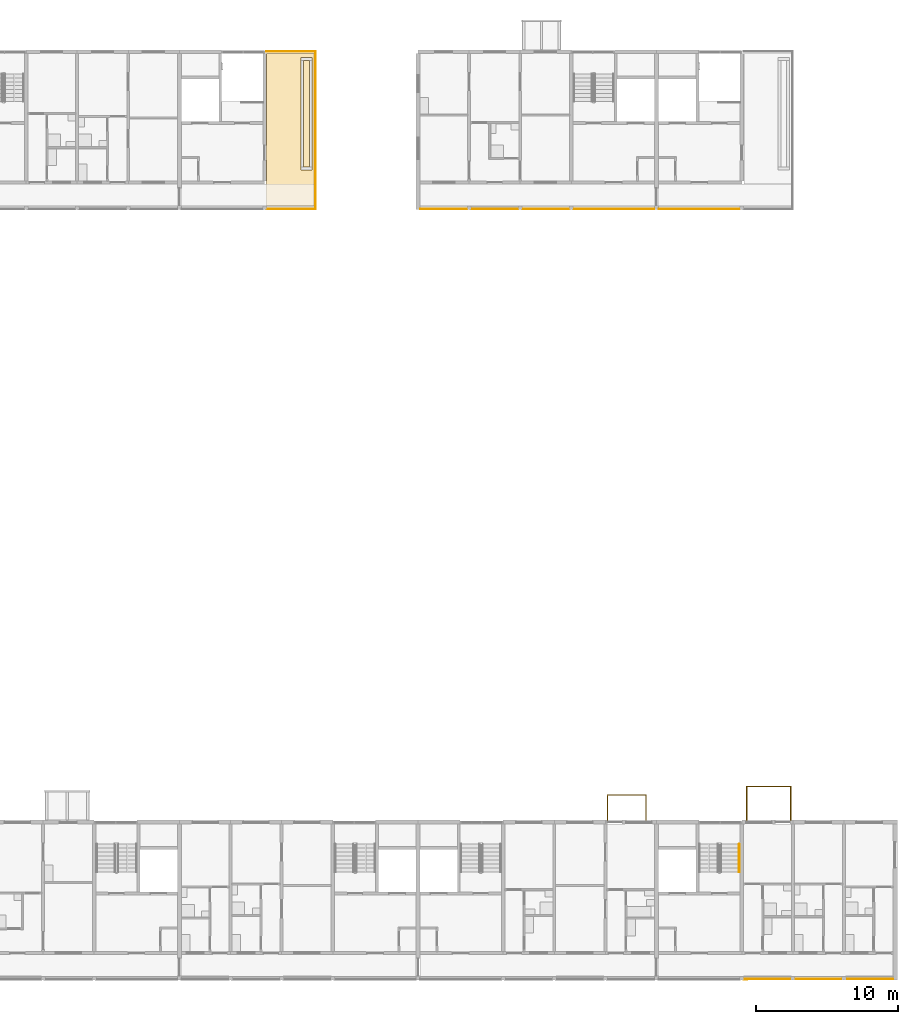
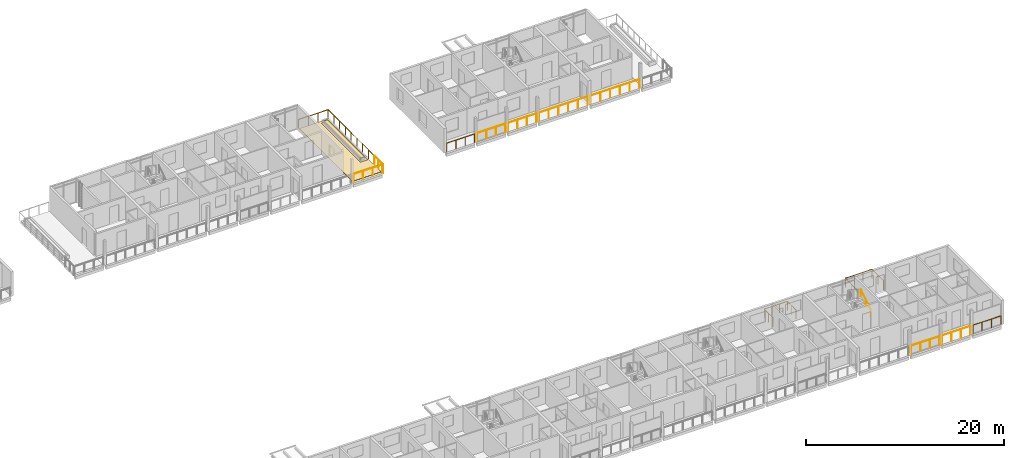
# One storey, part 84 of 87: 14 railings, 3 coverings.
"""IFC4 building model written with IfcOpenShell, lengths in metres."""

from ifc_helpers import new_model, si_unit, direction, frame, origin, origin_2d, place, context, subcontext, project, spatial, polyline, circle, outline, extrude, material, layer, layer_set, type_object, element, save


model = new_model("IFC4")

# Units and contexts
model_context = context("Model", 3, precision=1e-05, world=origin(), true_north=direction((0.0, 1.0)))
body_context = subcontext(model_context, "Body", "Model", "MODEL_VIEW")
ifc_project = project(units=[si_unit("LENGTHUNIT", "METRE"), si_unit("AREAUNIT", "SQUARE_METRE"), si_unit("VOLUMEUNIT", "CUBIC_METRE"), si_unit("PLANEANGLEUNIT", "RADIAN"), si_unit("MASSUNIT", "GRAM", prefix="KILO")], contexts=[model_context])

# Site, building, storey
site_placement = place(None, origin())
site = spatial("IfcSite", under=ifc_project, at=site_placement, CompositionType="ELEMENT")
building_placement = place(site_placement, origin())
building = spatial("IfcBuilding", under=site, at=building_placement, Name="Ridgestep Commons", CompositionType="ELEMENT")
storey_placement = place(building_placement, frame((0.0, 0.0, 27.0)))
storey = spatial("IfcBuildingStorey", under=building, at=storey_placement, Name="L09", CompositionType="ELEMENT", Elevation=27.0)

# Railings
ifc_material_1 = material(Name="Structural steel S355JR", Category="steel")
railing_type_1 = type_object("IfcRailingType", Name="Guard 1100", PredefinedType="GUARDRAIL", material=ifc_material_1)
railing_1_placement = place(storey_placement, frame((206.779052734375, 67.821044921875, 0.0)))
element("IfcRailing", 1, at=railing_1_placement, inside=storey, type_object=railing_type_1, Name="Guard TD-C4R3-GD", PredefinedType="GUARDRAIL", context=body_context, shape_type="SweptSolid", body=[
    extrude(circle(Radius=0.02392578125, at=origin_2d()), frame((0.0, 0.0, 1.076171875), z_axis=(0.0, 1.0, 0.0), x_axis=(-1.0, 0.0, 0.0)), (0.0, 0.0, 1.0), 9.303955078125),
    extrude(circle(Radius=0.02392578125, at=origin_2d()), frame((0.0, 9.303955078125, 1.076171875), z_axis=(-1.0, 0.0, 0.0), x_axis=(0.0, -1.0, 0.0)), (0.0, 0.0, 1.0), 3.43310546875),
    extrude(circle(Radius=0.02099609375, at=origin_2d()), origin(), (0.0, 0.0, 1.0), 1.052001953125),
    extrude(circle(Radius=0.02099609375, at=origin_2d()), frame((0.0, 1.1630859375, 0.0)), (0.0, 0.0, 1.0), 1.052001953125),
    extrude(circle(Radius=0.02099609375, at=origin_2d()), frame((0.0, 2.325927734375, 0.0)), (0.0, 0.0, 1.0), 1.052001953125),
    extrude(circle(Radius=0.02099609375, at=origin_2d()), frame((0.0, 3.489013671875, 0.0)), (0.0, 0.0, 1.0), 1.052001953125),
    extrude(circle(Radius=0.02099609375, at=origin_2d()), frame((0.0, 4.65185546875, 0.0)), (0.0, 0.0, 1.0), 1.052001953125),
    extrude(circle(Radius=0.02099609375, at=origin_2d()), frame((0.0, 5.81494140625, 0.0)), (0.0, 0.0, 1.0), 1.052001953125),
    extrude(circle(Radius=0.02099609375, at=origin_2d()), frame((0.0, 6.97802734375, 0.0)), (0.0, 0.0, 1.0), 1.052001953125),
    extrude(circle(Radius=0.02099609375, at=origin_2d()), frame((0.0, 8.140869140625, 0.0)), (0.0, 0.0, 1.0), 1.052001953125),
    extrude(circle(Radius=0.02099609375, at=origin_2d()), frame((0.0, 9.303955078125, 0.0)), (0.0, 0.0, 1.0), 1.052001953125),
    extrude(circle(Radius=0.02099609375, at=origin_2d()), frame((-1.144287109375, 9.303955078125, 0.0)), (0.0, 0.0, 1.0), 1.052001953125),
    extrude(circle(Radius=0.02099609375, at=origin_2d()), frame((-2.288818359375, 9.303955078125, 0.0)), (0.0, 0.0, 1.0), 1.052001953125),
    extrude(circle(Radius=0.02099609375, at=origin_2d()), frame((-3.43310546875, 9.303955078125, 0.0)), (0.0, 0.0, 1.0), 1.052001953125),
])
railing_2_placement = place(storey_placement, frame((236.946044921875, 11.800048828125, 0.0)))
element("IfcRailing", 2, at=railing_2_placement, inside=storey, type_object=railing_type_1, Name="Gallery guard D 09.22", PredefinedType="GUARDRAIL", context=body_context, shape_type="SweptSolid", body=[
    extrude(circle(Radius=0.02392578125, at=origin_2d()), frame((0.0, 0.0, 1.076171875), z_axis=(1.0, 0.0, 0.0), x_axis=(0.0, 1.0, 0.0)), (0.0, 0.0, 1.0), 3.307861328125),
    extrude(circle(Radius=0.02099609375, at=origin_2d()), origin(), (0.0, 0.0, 1.0), 1.052001953125),
    extrude(circle(Radius=0.02099609375, at=origin_2d()), frame((1.1025390625, 0.0, 0.0)), (0.0, 0.0, 1.0), 1.052001953125),
    extrude(circle(Radius=0.02099609375, at=origin_2d()), frame((2.205322265625, 0.0, 0.0)), (0.0, 0.0, 1.0), 1.052001953125),
    extrude(circle(Radius=0.02099609375, at=origin_2d()), frame((3.307861328125, 0.0, 0.0)), (0.0, 0.0, 1.0), 1.052001953125),
])
railing_3_placement = place(storey_placement, frame((240.5458984375, 11.800048828125, 0.0)))
element("IfcRailing", 3, at=railing_3_placement, inside=storey, type_object=railing_type_1, Name="Gallery guard D 09.23", PredefinedType="GUARDRAIL", context=body_context, shape_type="SweptSolid", body=[
    extrude(circle(Radius=0.02392578125, at=origin_2d()), frame((0.0, 0.0, 1.076171875), z_axis=(1.0, 0.0, 0.0), x_axis=(0.0, 1.0, 0.0)), (0.0, 0.0, 1.0), 3.30810546875),
    extrude(circle(Radius=0.02099609375, at=origin_2d()), origin(), (0.0, 0.0, 1.0), 1.052001953125),
    extrude(circle(Radius=0.02099609375, at=origin_2d()), frame((1.102783203125, 0.0, 0.0)), (0.0, 0.0, 1.0), 1.052001953125),
    extrude(circle(Radius=0.02099609375, at=origin_2d()), frame((2.205322265625, 0.0, 0.0)), (0.0, 0.0, 1.0), 1.052001953125),
    extrude(circle(Radius=0.02099609375, at=origin_2d()), frame((3.30810546875, 0.0, 0.0)), (0.0, 0.0, 1.0), 1.052001953125),
])
railing_4_placement = place(storey_placement, frame((244.14599609375, 11.800048828125, 0.0)))
element("IfcRailing", 4, at=railing_4_placement, inside=storey, type_object=railing_type_1, Name="Gallery guard D 09.24", PredefinedType="GUARDRAIL", context=body_context, shape_type="SweptSolid", body=[
    extrude(circle(Radius=0.02392578125, at=origin_2d()), frame((0.0, 0.0, 1.076171875), z_axis=(1.0, 0.0, 0.0), x_axis=(0.0, 1.0, 0.0)), (0.0, 0.0, 1.0), 3.282958984375),
    extrude(circle(Radius=0.02099609375, at=origin_2d()), origin(), (0.0, 0.0, 1.0), 1.052001953125),
    extrude(circle(Radius=0.02099609375, at=origin_2d()), frame((1.09423828125, 0.0, 0.0)), (0.0, 0.0, 1.0), 1.052001953125),
    extrude(circle(Radius=0.02099609375, at=origin_2d()), frame((2.188720703125, 0.0, 0.0)), (0.0, 0.0, 1.0), 1.052001953125),
    extrude(circle(Radius=0.02099609375, at=origin_2d()), frame((3.282958984375, 0.0, 0.0)), (0.0, 0.0, 1.0), 1.052001953125),
])
railing_5_placement = place(storey_placement, frame((203.345947265625, 66.050048828125, 0.0)))
element("IfcRailing", 5, at=railing_5_placement, inside=storey, type_object=railing_type_1, Name="Gallery guard C 09.8", PredefinedType="GUARDRAIL", context=body_context, shape_type="SweptSolid", body=[
    extrude(circle(Radius=0.02392578125, at=origin_2d()), frame((0.0, 0.0, 1.076171875), z_axis=(1.0, 0.0, 0.0), x_axis=(0.0, 1.0, 0.0)), (0.0, 0.0, 1.0), 3.3701171875),
    extrude(circle(Radius=0.02099609375, at=origin_2d()), origin(), (0.0, 0.0, 1.0), 1.052001953125),
    extrude(circle(Radius=0.02099609375, at=origin_2d()), frame((1.123291015625, 0.0, 0.0)), (0.0, 0.0, 1.0), 1.052001953125),
    extrude(circle(Radius=0.02099609375, at=origin_2d()), frame((2.246826171875, 0.0, 0.0)), (0.0, 0.0, 1.0), 1.052001953125),
    extrude(circle(Radius=0.02099609375, at=origin_2d()), frame((3.3701171875, 0.0, 0.0)), (0.0, 0.0, 1.0), 1.052001953125),
])
railing_6_placement = place(storey_placement, frame((206.779052734375, 66.050048828125, 0.0)))
element("IfcRailing", 6, at=railing_6_placement, inside=storey, type_object=railing_type_1, Name="Gallery end guard C 09.8E", PredefinedType="GUARDRAIL", context=body_context, shape_type="SweptSolid", body=[
    extrude(circle(Radius=0.02392578125, at=origin_2d()), frame((0.0, 0.0, 1.076171875), z_axis=(0.0, 1.0, 0.0), x_axis=(-1.0, 0.0, 0.0)), (0.0, 0.0, 1.0), 1.72900390625),
    extrude(circle(Radius=0.02099609375, at=origin_2d()), origin(), (0.0, 0.0, 1.0), 1.052001953125),
    extrude(circle(Radius=0.02099609375, at=origin_2d()), frame((0.0, 0.864501953125, 0.0)), (0.0, 0.0, 1.0), 1.052001953125),
    extrude(circle(Radius=0.02099609375, at=origin_2d()), frame((0.0, 1.72900390625, 0.0)), (0.0, 0.0, 1.0), 1.052001953125),
])
railing_7_placement = place(storey_placement, frame((214.1708984375, 66.050048828125, 0.0)))
element("IfcRailing", 7, at=railing_7_placement, inside=storey, type_object=railing_type_1, Name="Gallery guard C 09.1", PredefinedType="GUARDRAIL", context=body_context, shape_type="SweptSolid", body=[
    extrude(circle(Radius=0.02392578125, at=origin_2d()), frame((0.0, 0.0, 1.076171875), z_axis=(1.0, 0.0, 0.0), x_axis=(0.0, 1.0, 0.0)), (0.0, 0.0, 1.0), 3.283203125),
    extrude(circle(Radius=0.02099609375, at=origin_2d()), origin(), (0.0, 0.0, 1.0), 1.052001953125),
    extrude(circle(Radius=0.02099609375, at=origin_2d()), frame((1.094482421875, 0.0, 0.0)), (0.0, 0.0, 1.0), 1.052001953125),
    extrude(circle(Radius=0.02099609375, at=origin_2d()), frame((2.188720703125, 0.0, 0.0)), (0.0, 0.0, 1.0), 1.052001953125),
    extrude(circle(Radius=0.02099609375, at=origin_2d()), frame((3.283203125, 0.0, 0.0)), (0.0, 0.0, 1.0), 1.052001953125),
])
railing_8_placement = place(storey_placement, frame((217.74609375, 66.050048828125, 0.0)))
element("IfcRailing", 8, at=railing_8_placement, inside=storey, type_object=railing_type_1, Name="Gallery guard C 09.2", PredefinedType="GUARDRAIL", context=body_context, shape_type="SweptSolid", body=[
    extrude(circle(Radius=0.02392578125, at=origin_2d()), frame((0.0, 0.0, 1.076171875), z_axis=(1.0, 0.0, 0.0), x_axis=(0.0, 1.0, 0.0)), (0.0, 0.0, 1.0), 3.307861328125),
    extrude(circle(Radius=0.02099609375, at=origin_2d()), origin(), (0.0, 0.0, 1.0), 1.052001953125),
    extrude(circle(Radius=0.02099609375, at=origin_2d()), frame((1.1025390625, 0.0, 0.0)), (0.0, 0.0, 1.0), 1.052001953125),
    extrude(circle(Radius=0.02099609375, at=origin_2d()), frame((2.205322265625, 0.0, 0.0)), (0.0, 0.0, 1.0), 1.052001953125),
    extrude(circle(Radius=0.02099609375, at=origin_2d()), frame((3.307861328125, 0.0, 0.0)), (0.0, 0.0, 1.0), 1.052001953125),
])
railing_9_placement = place(storey_placement, frame((221.345947265625, 66.050048828125, 0.0)))
element("IfcRailing", 9, at=railing_9_placement, inside=storey, type_object=railing_type_1, Name="Gallery guard C 09.3", PredefinedType="GUARDRAIL", context=body_context, shape_type="SweptSolid", body=[
    extrude(circle(Radius=0.02392578125, at=origin_2d()), frame((0.0, 0.0, 1.076171875), z_axis=(1.0, 0.0, 0.0), x_axis=(0.0, 1.0, 0.0)), (0.0, 0.0, 1.0), 3.30810546875),
    extrude(circle(Radius=0.02099609375, at=origin_2d()), origin(), (0.0, 0.0, 1.0), 1.052001953125),
    extrude(circle(Radius=0.02099609375, at=origin_2d()), frame((1.102783203125, 0.0, 0.0)), (0.0, 0.0, 1.0), 1.052001953125),
    extrude(circle(Radius=0.02099609375, at=origin_2d()), frame((2.205322265625, 0.0, 0.0)), (0.0, 0.0, 1.0), 1.052001953125),
    extrude(circle(Radius=0.02099609375, at=origin_2d()), frame((3.30810546875, 0.0, 0.0)), (0.0, 0.0, 1.0), 1.052001953125),
])
railing_10_placement = place(storey_placement, frame((224.946044921875, 66.050048828125, 0.0)))
element("IfcRailing", 10, at=railing_10_placement, inside=storey, type_object=railing_type_1, Name="Gallery guard C 09.4", PredefinedType="GUARDRAIL", context=body_context, shape_type="SweptSolid", body=[
    extrude(circle(Radius=0.02392578125, at=origin_2d()), frame((0.0, 0.0, 1.076171875), z_axis=(1.0, 0.0, 0.0), x_axis=(0.0, 1.0, 0.0)), (0.0, 0.0, 1.0), 5.682861328125),
    extrude(circle(Radius=0.02099609375, at=origin_2d()), origin(), (0.0, 0.0, 1.0), 1.052001953125),
    extrude(circle(Radius=0.02099609375, at=origin_2d()), frame((1.136474609375, 0.0, 0.0)), (0.0, 0.0, 1.0), 1.052001953125),
    extrude(circle(Radius=0.02099609375, at=origin_2d()), frame((2.273193359375, 0.0, 0.0)), (0.0, 0.0, 1.0), 1.052001953125),
    extrude(circle(Radius=0.02099609375, at=origin_2d()), frame((3.40966796875, 0.0, 0.0)), (0.0, 0.0, 1.0), 1.052001953125),
    extrude(circle(Radius=0.02099609375, at=origin_2d()), frame((4.54638671875, 0.0, 0.0)), (0.0, 0.0, 1.0), 1.052001953125),
    extrude(circle(Radius=0.02099609375, at=origin_2d()), frame((5.682861328125, 0.0, 0.0)), (0.0, 0.0, 1.0), 1.052001953125),
])
railing_11_placement = place(storey_placement, frame((230.970947265625, 66.050048828125, 0.0)))
element("IfcRailing", 11, at=railing_11_placement, inside=storey, type_object=railing_type_1, Name="Gallery guard C 09.5", PredefinedType="GUARDRAIL", context=body_context, shape_type="SweptSolid", body=[
    extrude(circle(Radius=0.02392578125, at=origin_2d()), frame((0.0, 0.0, 1.076171875), z_axis=(1.0, 0.0, 0.0), x_axis=(0.0, 1.0, 0.0)), (0.0, 0.0, 1.0), 5.68310546875),
    extrude(circle(Radius=0.02099609375, at=origin_2d()), origin(), (0.0, 0.0, 1.0), 1.052001953125),
    extrude(circle(Radius=0.02099609375, at=origin_2d()), frame((1.13671875, 0.0, 0.0)), (0.0, 0.0, 1.0), 1.052001953125),
    extrude(circle(Radius=0.02099609375, at=origin_2d()), frame((2.273193359375, 0.0, 0.0)), (0.0, 0.0, 1.0), 1.052001953125),
    extrude(circle(Radius=0.02099609375, at=origin_2d()), frame((3.409912109375, 0.0, 0.0)), (0.0, 0.0, 1.0), 1.052001953125),
    extrude(circle(Radius=0.02099609375, at=origin_2d()), frame((4.54638671875, 0.0, 0.0)), (0.0, 0.0, 1.0), 1.052001953125),
    extrude(circle(Radius=0.02099609375, at=origin_2d()), frame((5.68310546875, 0.0, 0.0)), (0.0, 0.0, 1.0), 1.052001953125),
])

# Covering
ifc_material_2 = material(Name="Planting soil")
ifc_layer_1 = layer(ifc_material_2, 0.35009765625)
ifc_layer_set_1 = layer_set([ifc_layer_1], Name="Planting soil 350")
covering_type_1 = type_object("IfcCoveringType", Name="Planting soil 350", PredefinedType="FLOORING", material=ifc_layer_set_1)
covering_1_placement = place(storey_placement, frame((0.0, 0.0, 0.010009765625)))
element("IfcCovering", 12, at=covering_1_placement, inside=storey, type_object=covering_type_1, Name="Planting soil C4R3", PredefinedType="FLOORING", context=body_context, shape_type="SweptSolid", body=[
    extrude(outline(polyline([(205.949951171875, 69.0), (206.35009765625, 69.0), (206.35009765625, 76.5), (205.949951171875, 76.5), (205.949951171875, 69.0)])), origin(), (0.0, 0.0, 1.0), 0.35009765625),
])

# Railing
ifc_material_3 = material(Name="Structural steel S355JR", Category="steel")
railing_type_2 = type_object("IfcRailingType", Name="Stair handrail 900", PredefinedType="HANDRAIL", material=ifc_material_3)
railing_12_placement = place(storey_placement, frame((236.625, 19.35009765625, 0.1875)))
element("IfcRailing", 13, at=railing_12_placement, inside=storey, type_object=railing_type_2, Name="L09 D6C stair handrail 1", PredefinedType="HANDRAIL", context=body_context, shape_type="SweptSolid", body=[
    extrude(circle(Radius=0.02392578125, at=origin_2d()), frame((0.0, 0.0, 0.8759765625), z_axis=(0.0, 0.830902050051, 0.556418712142), x_axis=(-1.0, 0.0, 0.0)), (0.0, 0.0, 1.0), 2.35888671875),
    extrude(circle(Radius=0.02099609375, at=origin_2d()), origin(), (0.0, 0.0, 1.0), 0.851806640625),
    extrude(circle(Radius=0.02099609375, at=origin_2d()), frame((0.0, 0.97998046875, 0.65625)), (0.0, 0.0, 1.0), 0.851806640625),
    extrude(circle(Radius=0.02099609375, at=origin_2d()), frame((0.0, 1.9599609375, 1.3125)), (0.0, 0.0, 1.0), 0.851806640625),
])

# Coverings
ifc_material_4 = material(Name="Bitumen membrane, two layer")
ifc_layer_2 = layer(ifc_material_4, 0.010009765625)
ifc_layer_set_2 = layer_set([ifc_layer_2], Name="Terrace membrane 10")
covering_type_2 = type_object("IfcCoveringType", Name="Terrace membrane 10", PredefinedType="ROOFING", material=ifc_layer_set_2)
covering_2_placement = place(storey_placement, origin())
element("IfcCovering", 14, at=covering_2_placement, inside=storey, type_object=covering_type_2, Name="Terrace membrane C4R3", PredefinedType="ROOFING", context=body_context, shape_type="SweptSolid", body=[
    extrude(outline(polyline([(206.675048828125, 66.25), (206.675048828125, 77.0), (203.35009765625, 77.0), (203.35009765625, 66.25), (206.675048828125, 66.25)]), holes=[polyline([(206.550048828125, 68.800048828125), (206.550048828125, 76.699951171875), (205.75, 76.699951171875), (205.75, 68.800048828125), (206.550048828125, 68.800048828125)])]), origin(), (0.0, 0.0, 1.0), 0.010009765625),
])
ifc_material_5 = material(Name="Concrete paving slab", Category="concrete")
ifc_layer_3 = layer(ifc_material_5, 0.030029296875)
ifc_layer_set_3 = layer_set([ifc_layer_3], Name="Terrace paving 30")
covering_type_3 = type_object("IfcCoveringType", Name="Terrace paving 30", PredefinedType="FLOORING", material=ifc_layer_set_3)
covering_3_placement = place(storey_placement, frame((0.0, 0.0, 0.010009765625)))
element("IfcCovering", 15, at=covering_3_placement, inside=storey, type_object=covering_type_3, Name="Terrace paving C4R3", PredefinedType="FLOORING", context=body_context, shape_type="SweptSolid", body=[
    extrude(outline(polyline([(206.675048828125, 66.25), (206.675048828125, 77.0), (203.35009765625, 77.0), (203.35009765625, 66.25), (206.675048828125, 66.25)]), holes=[polyline([(206.550048828125, 68.800048828125), (206.550048828125, 76.699951171875), (205.75, 76.699951171875), (205.75, 68.800048828125), (206.550048828125, 68.800048828125)])]), origin(), (0.0, 0.0, 1.0), 0.030029296875),
])

# Railings
ifc_material_6 = material(Name="Weathering steel S355J2W", Category="steel")
railing_type_3 = type_object("IfcRailingType", Name="Tray guard 1100", PredefinedType="GUARDRAIL", material=ifc_material_6)
railing_13_placement = place(storey_placement, frame((227.35107421875, 23.02099609375, 0.0)))
element("IfcRailing", 16, at=railing_13_placement, inside=storey, type_object=railing_type_3, Name="Tray guard D5T1-09", PredefinedType="GUARDRAIL", context=body_context, shape_type="SweptSolid", body=[
    extrude(circle(Radius=0.02392578125, at=origin_2d()), frame((0.0, 0.0, 1.076171875), z_axis=(0.0, 1.0, 0.0), x_axis=(-1.0, 0.0, 0.0)), (0.0, 0.0, 1.0), 1.758056640625),
    extrude(circle(Radius=0.02392578125, at=origin_2d()), frame((0.0, 1.758056640625, 1.076171875), z_axis=(1.0, 0.0, 0.0), x_axis=(0.0, 1.0, 0.0)), (0.0, 0.0, 1.0), 2.697998046875),
    extrude(circle(Radius=0.02392578125, at=origin_2d()), frame((2.697998046875, 1.758056640625, 1.076171875), z_axis=(0.0, -1.0, 0.0), x_axis=(1.0, 0.0, 0.0)), (0.0, 0.0, 1.0), 1.758056640625),
    extrude(circle(Radius=0.02099609375, at=origin_2d()), origin(), (0.0, 0.0, 1.0), 1.052001953125),
    extrude(circle(Radius=0.02099609375, at=origin_2d()), frame((0.0, 0.87890625, 0.0)), (0.0, 0.0, 1.0), 1.052001953125),
    extrude(circle(Radius=0.02099609375, at=origin_2d()), frame((0.0, 1.758056640625, 0.0)), (0.0, 0.0, 1.0), 1.052001953125),
    extrude(circle(Radius=0.02099609375, at=origin_2d()), frame((0.8994140625, 1.758056640625, 0.0)), (0.0, 0.0, 1.0), 1.052001953125),
    extrude(circle(Radius=0.02099609375, at=origin_2d()), frame((1.798583984375, 1.758056640625, 0.0)), (0.0, 0.0, 1.0), 1.052001953125),
    extrude(circle(Radius=0.02099609375, at=origin_2d()), frame((2.697998046875, 1.758056640625, 0.0)), (0.0, 0.0, 1.0), 1.052001953125),
    extrude(circle(Radius=0.02099609375, at=origin_2d()), frame((2.697998046875, 0.87890625, 0.0)), (0.0, 0.0, 1.0), 1.052001953125),
    extrude(circle(Radius=0.02099609375, at=origin_2d()), frame((2.697998046875, 0.0, 0.0)), (0.0, 0.0, 1.0), 1.052001953125),
])
railing_14_placement = place(storey_placement, frame((237.15087890625, 23.02099609375, 0.0)))
element("IfcRailing", 17, at=railing_14_placement, inside=storey, type_object=railing_type_3, Name="Tray guard D6T3-09", PredefinedType="GUARDRAIL", context=body_context, shape_type="SweptSolid", body=[
    extrude(circle(Radius=0.02392578125, at=origin_2d()), frame((0.0, 0.0, 1.076171875), z_axis=(0.0, 1.0, 0.0), x_axis=(-1.0, 0.0, 0.0)), (0.0, 0.0, 1.0), 2.35791015625),
    extrude(circle(Radius=0.02392578125, at=origin_2d()), frame((0.0, 2.35791015625, 1.076171875), z_axis=(1.0, 0.0, 0.0), x_axis=(0.0, 1.0, 0.0)), (0.0, 0.0, 1.0), 3.09814453125),
    extrude(circle(Radius=0.02392578125, at=origin_2d()), frame((3.09814453125, 2.35791015625, 1.076171875), z_axis=(0.0, -1.0, 0.0), x_axis=(1.0, 0.0, 0.0)), (0.0, 0.0, 1.0), 2.35791015625),
    extrude(circle(Radius=0.02099609375, at=origin_2d()), origin(), (0.0, 0.0, 1.0), 1.052001953125),
    extrude(circle(Radius=0.02099609375, at=origin_2d()), frame((0.0, 1.178955078125, 0.0)), (0.0, 0.0, 1.0), 1.052001953125),
    extrude(circle(Radius=0.02099609375, at=origin_2d()), frame((0.0, 2.35791015625, 0.0)), (0.0, 0.0, 1.0), 1.052001953125),
    extrude(circle(Radius=0.02099609375, at=origin_2d()), frame((1.03271484375, 2.35791015625, 0.0)), (0.0, 0.0, 1.0), 1.052001953125),
    extrude(circle(Radius=0.02099609375, at=origin_2d()), frame((2.0654296875, 2.35791015625, 0.0)), (0.0, 0.0, 1.0), 1.052001953125),
    extrude(circle(Radius=0.02099609375, at=origin_2d()), frame((3.09814453125, 2.35791015625, 0.0)), (0.0, 0.0, 1.0), 1.052001953125),
    extrude(circle(Radius=0.02099609375, at=origin_2d()), frame((3.09814453125, 1.178955078125, 0.0)), (0.0, 0.0, 1.0), 1.052001953125),
    extrude(circle(Radius=0.02099609375, at=origin_2d()), frame((3.09814453125, 0.0, 0.0)), (0.0, 0.0, 1.0), 1.052001953125),
])

save(model, "model.ifc")
